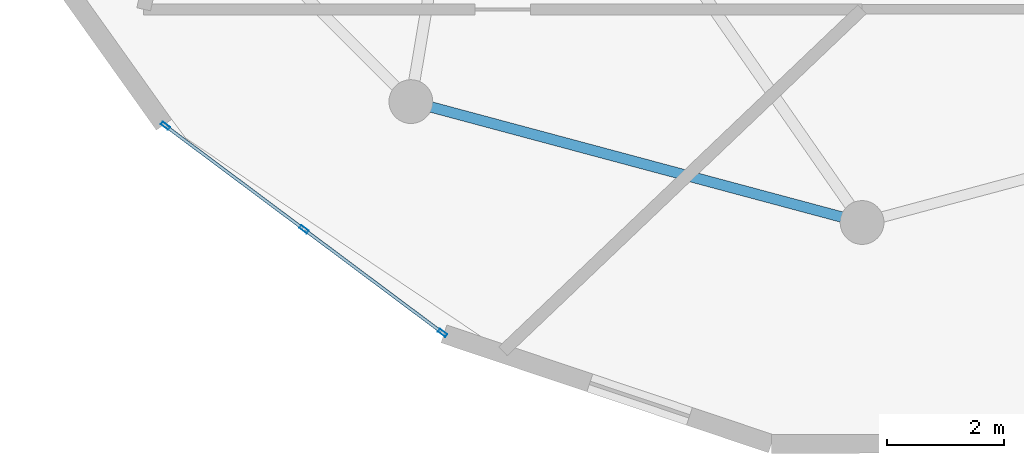
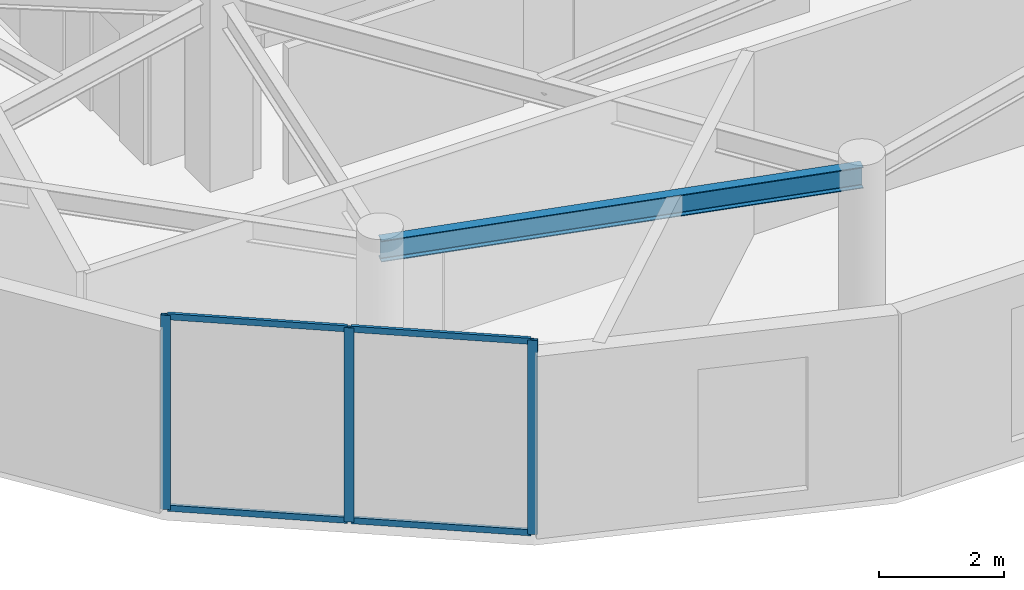
# One storey, part 2 of 18: 7 members, 1 beam, 1 element without a shape of its own.
"""IFC4 building model written with IfcOpenShell, lengths in metres."""

from ifc_helpers import new_model, si_unit, direction, frame, origin, origin_2d, place, context, subcontext, project, spatial, hollow_rectangle, i_section, extrude, source, transform, mapped, material, layer, layer_set, material_profile, profile_set, type_object, element, aggregate, save


model = new_model("IFC4")

# Units and contexts
model_context = context("Model", 3, precision=1e-05, world=origin(), true_north=direction((0.0, 1.0)))
body_context = subcontext(model_context, "Body", "Model", "MODEL_VIEW")
ifc_project = project(units=[si_unit("LENGTHUNIT", "METRE"), si_unit("AREAUNIT", "SQUARE_METRE"), si_unit("VOLUMEUNIT", "CUBIC_METRE"), si_unit("PLANEANGLEUNIT", "RADIAN"), si_unit("MASSUNIT", "GRAM", prefix="KILO")], contexts=[model_context])

# Site, building, storey
site_placement = place(None, origin())
site = spatial("IfcSite", under=ifc_project, at=site_placement, CompositionType="ELEMENT")
building_placement = place(site_placement, origin())
building = spatial("IfcBuilding", under=site, at=building_placement, Name="Solvirekh Grand Hotel", CompositionType="ELEMENT")
storey_placement = place(building_placement, frame((0.0, 0.0, 250.60009765625)))
storey = spatial("IfcBuildingStorey", under=building, at=storey_placement, Name="L65", CompositionType="ELEMENT", Elevation=250.60009765625)

# Beam
ifc_material_1 = material(Name="Steel S355", Category="steel")
ifc_material_profile_1 = material_profile(ifc_material_1, i_section(OverallWidth=0.180908203125, OverallDepth=0.4169921875, WebThickness=0.010009765625, FlangeThickness=0.01611328125, FilletRadius=0.011962890625, at=origin_2d()), Name="W410X85")
ifc_profile_set_1 = profile_set([ifc_material_profile_1], Name="Steel S355")
beam_type = type_object("IfcBeamType", Name="Spandrel_Ring_W410", PredefinedType="SPANDREL", material=ifc_profile_set_1)
beam_placement = place(storey_placement, frame((-7.72509765625, -13.3798828125, 3.36181640625), z_axis=(0.965921616143, -0.258834757072, 0.0), x_axis=(0.258834757072, 0.965921616143, 0.0)))
element("IfcBeam", 1, at=beam_placement, inside=storey, type_object=beam_type, Name="L65 perimeter spandrel beam 9", PredefinedType="SPANDREL", context=body_context, shape_type="SweptSolid", body=[
    extrude(i_section(OverallWidth=0.180908203125, OverallDepth=0.4169921875, WebThickness=0.010009765625, FlangeThickness=0.01611328125, FilletRadius=0.011962890625, at=origin_2d()), origin(), (0.0, 0.0, 1.0), 7.99755859375),
])

# Curtain wall, members
ifc_material_2 = material(Name="Anodized Bronze Aluminium 6063-T6", Category="aluminium")
ifc_layer = layer(ifc_material_2, 0.159912109375)
ifc_layer_set = layer_set([ifc_layer], Name="Anodized Bronze Aluminium 6063-T6")
curtain_wall_type = type_object("IfcCurtainWallType", Name="CW_Sys4_HighZoneFlushBronzeCW", PredefinedType="NOTDEFINED", material=ifc_layer_set)
curtain_wall_placement = place(storey_placement, origin())
curtain_wall = element("IfcCurtainWall", 2, at=curtain_wall_placement, inside=storey, type_object=curtain_wall_type, Name="L65 unitised bronze-glass curtain wall CW-L65-C18", PredefinedType="NOTDEFINED")
ifc_material_profile_2 = material_profile(ifc_material_2, hollow_rectangle(XDim=0.06005859375, YDim=0.159912109375, WallThickness=0.0048828125, at=origin_2d()), Name="ALU RHS 160X60X5")
ifc_profile_set_2 = profile_set([ifc_material_profile_2], Name="Anodized Bronze Aluminium 6063-T6")
member_type_1 = type_object("IfcMemberType", Name="CWMullion_Sys4", PredefinedType="MULLION", material=ifc_profile_set_2)
shared_shape_1 = source(origin(), body_context, "Body", "SweptSolid", [
    extrude(hollow_rectangle(XDim=0.06005859375, YDim=0.159912109375, WallThickness=0.0048828125, at=origin_2d()), origin(), (0.0, 0.0, 1.0), 3.7998046875),
])
member_1_placement = place(storey_placement, frame((-11.928955078125, -13.7939453125, 0.0), z_axis=(0.0, 0.0, 1.0), x_axis=(0.598555271523, 0.801081510791, 0.0)))
member_1 = element("IfcMember", 3, at=member_1_placement, type_object=member_type_1, Name="U04 mullion 1", PredefinedType="MULLION", context=body_context, shape_type="MappedRepresentation", body=[
    mapped(shared_shape_1, transform((0.0, 0.0, 0.0), x_axis=(1.0, 0.0, 0.0), y_axis=(0.0, 1.0, 0.0), z_axis=(0.0, 0.0, 1.0), scale=1.0)),
])
member_2_placement = place(storey_placement, frame((-9.555908203125, -15.56689453125, 0.0), z_axis=(0.0, 0.0, 1.0), x_axis=(0.598555271523, 0.801081510791, 0.0)))
member_2 = element("IfcMember", 4, at=member_2_placement, type_object=member_type_1, Name="U04 mullion 2", PredefinedType="MULLION", context=body_context, shape_type="MappedRepresentation", body=[
    mapped(shared_shape_1, transform((0.0, 0.0, 0.0), x_axis=(1.0, 0.0, 0.0), y_axis=(0.0, 1.0, 0.0), z_axis=(0.0, 0.0, 1.0), scale=1.0)),
])
member_3_placement = place(storey_placement, frame((-7.18310546875, -17.340087890625, 0.0), z_axis=(0.0, 0.0, 1.0), x_axis=(0.598555271523, 0.801081510791, 0.0)))
member_3 = element("IfcMember", 5, at=member_3_placement, type_object=member_type_1, Name="U04 mullion 3", PredefinedType="MULLION", context=body_context, shape_type="MappedRepresentation", body=[
    mapped(shared_shape_1, transform((0.0, 0.0, 0.0), x_axis=(1.0, 0.0, 0.0), y_axis=(0.0, 1.0, 0.0), z_axis=(0.0, 0.0, 1.0), scale=1.0)),
])
ifc_material_profile_3 = material_profile(ifc_material_2, hollow_rectangle(XDim=0.054931640625, YDim=0.1201171875, WallThickness=0.00390625, at=origin_2d()), Name="ALU RHS 120X55X4")
ifc_profile_set_3 = profile_set([ifc_material_profile_3], Name="Anodized Bronze Aluminium 6063-T6")
member_type_2 = type_object("IfcMemberType", Name="CWTransom_Sys4", PredefinedType="USERDEFINED", material=ifc_profile_set_3)
shared_shape_2 = source(origin(), body_context, "Body", "SweptSolid", [
    extrude(hollow_rectangle(XDim=0.054931640625, YDim=0.1201171875, WallThickness=0.00390625, at=origin_2d()), origin(), (0.0, 0.0, 1.0), 2.902099609375),
])
member_4_placement = place(storey_placement, frame((-11.905029296875, -13.81201171875, 0.02734375), z_axis=(0.801098977628, -0.598531893923, 0.0), x_axis=(0.598531893923, 0.801098977628, 0.0)))
member_4 = element("IfcMember", 6, at=member_4_placement, type_object=member_type_2, Name="U04 transom 1.1", ObjectType="TRANSOM", PredefinedType="USERDEFINED", context=body_context, shape_type="MappedRepresentation", body=[
    mapped(shared_shape_2, transform((0.0, 0.0, 0.0), x_axis=(1.0, 0.0, 0.0), y_axis=(0.0, 1.0, 0.0), z_axis=(0.0, 0.0, 1.0), scale=1.0)),
])
member_5_placement = place(storey_placement, frame((-11.905029296875, -13.81201171875, 3.7724609375), z_axis=(0.801098977628, -0.598531893923, 0.0), x_axis=(0.598531893923, 0.801098977628, 0.0)))
member_5 = element("IfcMember", 7, at=member_5_placement, type_object=member_type_2, Name="U04 transom 1.2", ObjectType="TRANSOM", PredefinedType="USERDEFINED", context=body_context, shape_type="MappedRepresentation", body=[
    mapped(shared_shape_2, transform((0.0, 0.0, 0.0), x_axis=(1.0, 0.0, 0.0), y_axis=(0.0, 1.0, 0.0), z_axis=(0.0, 0.0, 1.0), scale=1.0)),
])
member_6_placement = place(storey_placement, frame((-9.531982421875, -15.5849609375, 0.02734375), z_axis=(0.801098977628, -0.598531893923, 0.0), x_axis=(0.598531893923, 0.801098977628, 0.0)))
member_6 = element("IfcMember", 8, at=member_6_placement, type_object=member_type_2, Name="U04 transom 2.1", ObjectType="TRANSOM", PredefinedType="USERDEFINED", context=body_context, shape_type="MappedRepresentation", body=[
    mapped(shared_shape_2, transform((0.0, 0.0, 0.0), x_axis=(1.0, 0.0, 0.0), y_axis=(0.0, 1.0, 0.0), z_axis=(0.0, 0.0, 1.0), scale=1.0)),
])
member_7_placement = place(storey_placement, frame((-9.531982421875, -15.5849609375, 3.7724609375), z_axis=(0.801098977628, -0.598531893923, 0.0), x_axis=(0.598531893923, 0.801098977628, 0.0)))
member_7 = element("IfcMember", 9, at=member_7_placement, type_object=member_type_2, Name="U04 transom 2.2", ObjectType="TRANSOM", PredefinedType="USERDEFINED", context=body_context, shape_type="MappedRepresentation", body=[
    mapped(shared_shape_2, transform((0.0, 0.0, 0.0), x_axis=(1.0, 0.0, 0.0), y_axis=(0.0, 1.0, 0.0), z_axis=(0.0, 0.0, 1.0), scale=1.0)),
])
aggregate(curtain_wall, [member_1, member_2, member_3, member_4, member_5, member_6, member_7])

save(model, "model.ifc")
